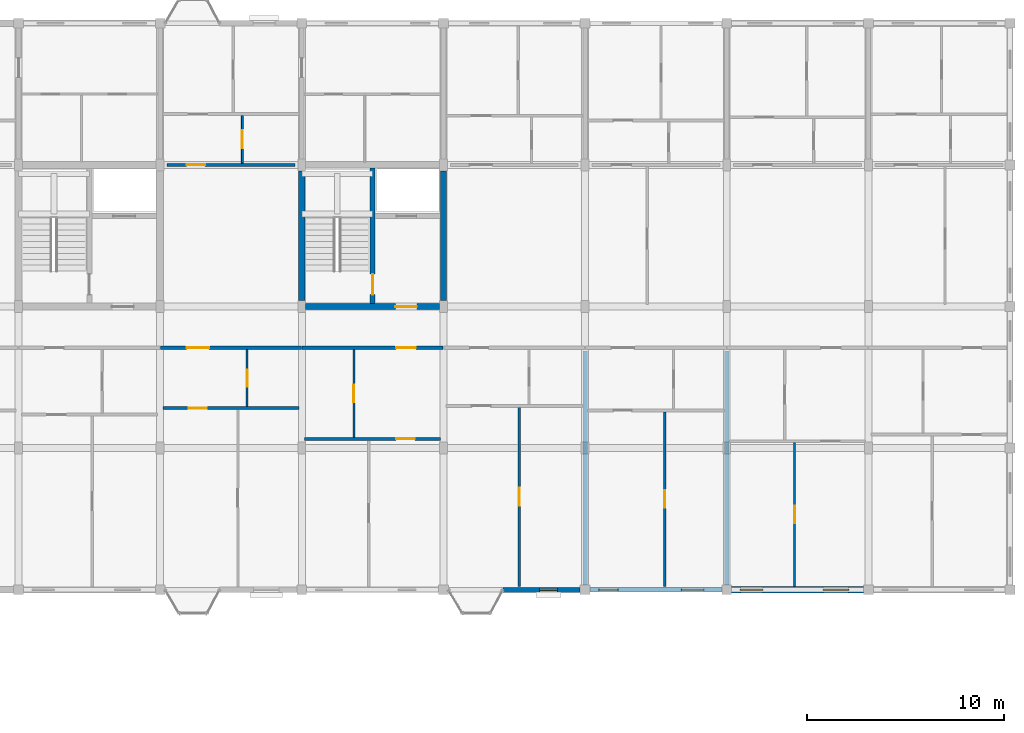
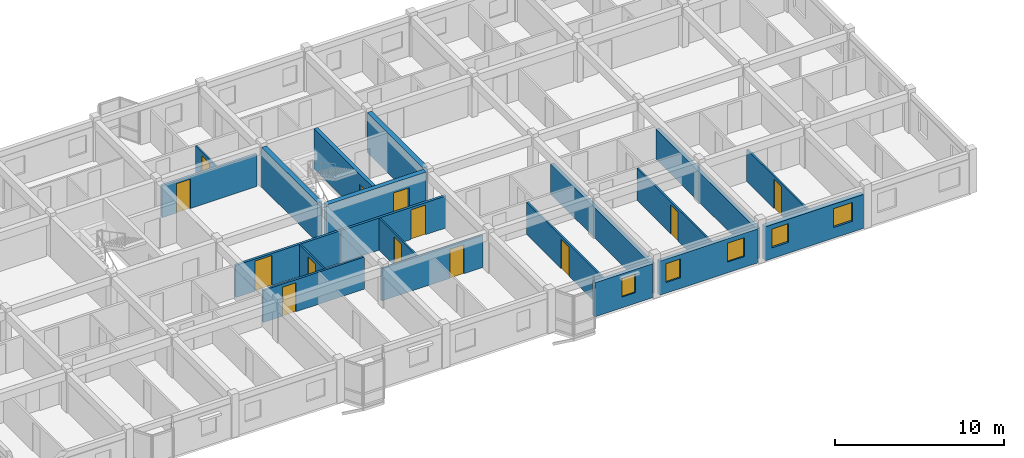
# One storey, part 61 of 70: 20 walls, 13 doors, 5 windows, 18 openings.
"""IFC4 building model written with IfcOpenShell, lengths in metres."""

from ifc_helpers import new_model, si_unit, direction, frame, frame_2d, origin, place, context, subcontext, project, spatial, rectangle, extrude, material, layer, layer_set, type_object, element, fill, save


model = new_model("IFC4")

# Units and contexts
model_context = context("Model", 3, precision=1e-05, world=origin(), true_north=direction((0.0, 1.0)))
body_context = subcontext(model_context, "Body", "Model", "MODEL_VIEW")
ifc_project = project(units=[si_unit("LENGTHUNIT", "METRE"), si_unit("AREAUNIT", "SQUARE_METRE"), si_unit("VOLUMEUNIT", "CUBIC_METRE"), si_unit("PLANEANGLEUNIT", "RADIAN"), si_unit("MASSUNIT", "GRAM", prefix="KILO"), si_unit("THERMODYNAMICTEMPERATUREUNIT", "KELVIN"), si_unit("POWERUNIT", "WATT")], contexts=[model_context])

# Site, building, storey
site_placement = place(None, origin())
site = spatial("IfcSite", under=ifc_project, at=site_placement, CompositionType="ELEMENT")
building_placement = place(site_placement, origin())
building = spatial("IfcBuilding", under=site, at=building_placement, Name="Tavuni Mirador Residences", CompositionType="ELEMENT")
storey_placement = place(building_placement, frame((0.0, 0.0, 23.39990234375)))
storey = spatial("IfcBuildingStorey", under=building, at=storey_placement, Name="L07", CompositionType="ELEMENT", Elevation=23.39990234375)

# Wall, opening, door
ifc_material_1 = material(Name="Precast concrete C40/50", Category="concrete")
ifc_layer_1 = layer(ifc_material_1, 0.25, Name="Precast concrete C40/50", Category="concrete")
ifc_layer_set_1 = layer_set([ifc_layer_1], Name="Precast concrete C40/50")
wall_type_1 = type_object("IfcWallType", Name="WT-COR250", PredefinedType="SHEAR", material=ifc_layer_set_1)
wall_1_placement = place(storey_placement, frame((43.199951171875, 158.56005859375, 0.0), z_axis=(0.0, 0.0, 1.0), x_axis=(0.0, 1.0, 0.0)))
wall_1 = element("IfcWall", 1, at=wall_1_placement, inside=storey, type_object=wall_type_1, Name="CWALL-C6-L07-MID", PredefinedType="SHEAR", context=body_context, shape_type="SweptSolid", body=[
    extrude(rectangle(XDim=6.8798828125, YDim=0.25, at=frame_2d((3.43994140625, 0.0))), origin(), (0.0, 0.0, 1.0), 2.885009765625),
])
opening_1_placement = place(wall_1_placement, frame((0.43994140625, 0.0, 0.0)))
opening_1 = element("IfcOpeningElement", 2, at=opening_1_placement, cuts=wall_1, Name="Opening D-01", PredefinedType="OPENING", context=body_context, shape_type="SweptSolid", body=[
    extrude(rectangle(XDim=1.050048828125, YDim=2.14990234375, at=frame_2d((0.52490234375, 1.074951171875))), frame((0.0, 0.135009765625, 0.0), z_axis=(0.0, -1.0, 0.0), x_axis=(1.0, 0.0, 0.0)), (0.0, 0.0, 1.0), 0.27001953125),
])
ifc_material_2 = material(Name="Solid core iroko timber", Category="wood")
door_type_1 = type_object("IfcDoorType", Name="DT-ST1050", OperationType="NOTDEFINED", PredefinedType="DOOR", material=ifc_material_2)
door_1_placement = place(opening_1_placement, origin())
door_1 = element("IfcDoor", 3, at=door_1_placement, inside=storey, type_object=door_type_1, Name="DR-2241", OperationType="SINGLE_SWING_LEFT", OverallHeight=2.14990234375, OverallWidth=1.050048828125, PredefinedType="DOOR", context=body_context, shape_type="SweptSolid", body=[
    extrude(rectangle(XDim=1.050048828125, YDim=2.14990234375, at=frame_2d((0.52490234375, 1.074951171875))), frame((0.0, 0.02490234375, 0.0), z_axis=(0.0, -1.0, 0.0), x_axis=(1.0, 0.0, 0.0)), (0.0, 0.0, 1.0), 0.050048828125),
])
fill(opening_1, door_1)

# Walls
ifc_layer_2 = layer(ifc_material_1, 0.320068359375, Name="Precast concrete C40/50", Category="concrete")
ifc_layer_set_2 = layer_set([ifc_layer_2], Name="Precast concrete C40/50")
wall_type_2 = type_object("IfcWallType", Name="WT-COR320", PredefinedType="SHEAR", material=ifc_layer_set_2)
for number, where, z_axis, x_axis, name in (
    (4, (39.60009765625, 158.699951171875, 0.0), (0.0, 0.0, 1.0), (0.0, 1.0, 0.0), "CWALL-C6-L07-W"),
    (5, (46.800048828125, 158.699951171875, 0.0), (0.0, 0.0, 1.0), (0.0, 1.0, 0.0), "CWALL-C6-L07-E"),
):
    element("IfcWall", number, at=place(storey_placement, frame(where, z_axis=z_axis, x_axis=x_axis)), inside=storey, type_object=wall_type_2, Name=name, PredefinedType="SHEAR", context=body_context, shape_type="SweptSolid", body=[
        extrude(rectangle(XDim=6.60009765625, YDim=0.320068359375, at=frame_2d((3.300048828125, 0.0))), origin(), (0.0, 0.0, 1.0), 2.885009765625),
    ])

# Wall, opening, door
wall_2_placement = place(storey_placement, frame((39.800048828125, 158.39990234375, 0.0), z_axis=(0.0, 0.0, 1.0), x_axis=(1.0, 0.0, 0.0)))
wall_2 = element("IfcWall", 6, at=wall_2_placement, inside=storey, type_object=wall_type_2, Name="CWALL-C6-L07-SS", PredefinedType="SHEAR", context=body_context, shape_type="SweptSolid", body=[
    extrude(rectangle(XDim=6.800048828125, YDim=0.320068359375, at=frame_2d((3.39990234375, 0.0))), origin(), (0.0, 0.0, 1.0), 2.885009765625),
])
opening_2_placement = place(wall_2_placement, frame((4.550048828125, 0.0, 0.0)))
opening_2 = element("IfcOpeningElement", 7, at=opening_2_placement, cuts=wall_2, Name="Opening D-02", PredefinedType="OPENING", context=body_context, shape_type="SweptSolid", body=[
    extrude(rectangle(XDim=1.10009765625, YDim=2.14990234375, at=frame_2d((0.550048828125, 1.074951171875))), frame((0.0, 0.169921875, 0.0), z_axis=(0.0, -1.0, 0.0), x_axis=(1.0, 0.0, 0.0)), (0.0, 0.0, 1.0), 0.340087890625),
])
door_type_2 = type_object("IfcDoorType", Name="DT-LOB1100", OperationType="NOTDEFINED", PredefinedType="DOOR", material=ifc_material_2)
door_2_placement = place(opening_2_placement, frame((1.10009765625, 0.0, 0.0), z_axis=(0.0, 0.0, 1.0), x_axis=(-1.0, 0.0, 0.0)))
door_2 = element("IfcDoor", 8, at=door_2_placement, inside=storey, type_object=door_type_2, Name="DR-2240", OperationType="SINGLE_SWING_RIGHT", OverallHeight=2.14990234375, OverallWidth=1.10009765625, PredefinedType="DOOR", context=body_context, shape_type="SweptSolid", body=[
    extrude(rectangle(XDim=1.10009765625, YDim=2.14990234375, at=frame_2d((0.550048828125, 1.074951171875))), frame((0.0, 0.02490234375, 0.0), z_axis=(0.0, -1.0, 0.0), x_axis=(1.0, 0.0, 0.0)), (0.0, 0.0, 1.0), 0.050048828125),
])
fill(opening_2, door_2)

ifc_layer_3 = layer(ifc_material_1, 0.1650390625, Name="Precast concrete C40/50", Category="concrete")
ifc_layer_set_3 = layer_set([ifc_layer_3], Name="Precast concrete C40/50")
wall_type_3 = type_object("IfcWallType", Name="WT-CORR165", PredefinedType="PARTITIONING", material=ifc_layer_set_3)
wall_3_placement = place(storey_placement, frame((32.419921875, 156.300048828125, 0.0), z_axis=(0.0, 0.0, 1.0), x_axis=(1.0, 0.0, 0.0)))
wall_3 = element("IfcWall", 9, at=wall_3_placement, inside=storey, type_object=wall_type_3, Name="CORW-BLK-C-L07-0-03", PredefinedType="PARTITIONING", context=body_context, shape_type="SweptSolid", body=[
    extrude(rectangle(XDim=7.16015625, YDim=0.1650390625, at=frame_2d((3.580078125, 0.0))), origin(), (0.0, 0.0, 1.0), 2.320068359375),
])
opening_3_placement = place(wall_3_placement, frame((1.330078125, 0.0, 0.0)))
opening_3 = element("IfcOpeningElement", 10, at=opening_3_placement, cuts=wall_3, Name="Opening D-20", PredefinedType="OPENING", context=body_context, shape_type="SweptSolid", body=[
    extrude(rectangle(XDim=1.139892578125, YDim=2.179931640625, at=frame_2d((0.56982421875, 1.08984375))), frame((0.0, 0.092529296875, 0.0), z_axis=(0.0, -1.0, 0.0), x_axis=(1.0, 0.0, 0.0)), (0.0, 0.0, 1.0), 0.18505859375),
])
door_type_3 = type_object("IfcDoorType", Name="DT-FD60-1140", OperationType="NOTDEFINED", PredefinedType="DOOR", material=ifc_material_2)
door_3_placement = place(opening_3_placement, origin())
door_3 = element("IfcDoor", 11, at=door_3_placement, inside=storey, type_object=door_type_3, Name="DR-2726", OperationType="SINGLE_SWING_LEFT", OverallHeight=2.179931640625, OverallWidth=1.139892578125, PredefinedType="DOOR", context=body_context, shape_type="SweptSolid", body=[
    extrude(rectangle(XDim=1.139892578125, YDim=2.179931640625, at=frame_2d((0.56982421875, 1.08984375))), frame((0.0, 0.02490234375, 0.0), z_axis=(0.0, -1.0, 0.0), x_axis=(1.0, 0.0, 0.0)), (0.0, 0.0, 1.0), 0.050048828125),
])
fill(opening_3, door_3)

wall_4_placement = place(storey_placement, frame((39.6201171875, 156.300048828125, 0.0), z_axis=(0.0, 0.0, 1.0), x_axis=(1.0, 0.0, 0.0)))
wall_4 = element("IfcWall", 12, at=wall_4_placement, inside=storey, type_object=wall_type_3, Name="CORW-BLK-C-L07-0-04", PredefinedType="PARTITIONING", context=body_context, shape_type="SweptSolid", body=[
    extrude(rectangle(XDim=7.159912109375, YDim=0.1650390625, at=frame_2d((3.580078125, 0.0))), origin(), (0.0, 0.0, 1.0), 2.320068359375),
])
opening_4_placement = place(wall_4_placement, frame((4.780029296875, 0.0, 0.0)))
opening_4 = element("IfcOpeningElement", 13, at=opening_4_placement, cuts=wall_4, Name="Opening D-03", PredefinedType="OPENING", context=body_context, shape_type="SweptSolid", body=[
    extrude(rectangle(XDim=1.0, YDim=2.14990234375, at=frame_2d((0.5, 1.074951171875))), frame((0.0, 0.092529296875, 0.0), z_axis=(0.0, -1.0, 0.0), x_axis=(1.0, 0.0, 0.0)), (0.0, 0.0, 1.0), 0.18505859375),
])
door_type_4 = type_object("IfcDoorType", Name="DT-FD60-1000", OperationType="NOTDEFINED", PredefinedType="DOOR", material=ifc_material_2)
door_4_placement = place(opening_4_placement, origin())
door_4 = element("IfcDoor", 14, at=door_4_placement, inside=storey, type_object=door_type_4, Name="DR-2727", OperationType="SINGLE_SWING_RIGHT", OverallHeight=2.14990234375, OverallWidth=1.0, PredefinedType="DOOR", context=body_context, shape_type="SweptSolid", body=[
    extrude(rectangle(XDim=1.0, YDim=2.14990234375, at=frame_2d((0.5, 1.074951171875))), frame((0.0, 0.02490234375, 0.0), z_axis=(0.0, -1.0, 0.0), x_axis=(1.0, 0.0, 0.0)), (0.0, 0.0, 1.0), 0.050048828125),
])
fill(opening_4, door_4)

wall_5_placement = place(storey_placement, frame((32.75, 165.60009765625, 0.0), z_axis=(0.0, 0.0, 1.0), x_axis=(1.0, 0.0, 0.0)))
wall_5 = element("IfcWall", 15, at=wall_5_placement, inside=storey, type_object=wall_type_3, Name="CORW-BLK-C-L07-1-03", PredefinedType="PARTITIONING", context=body_context, shape_type="SweptSolid", body=[
    extrude(rectangle(XDim=6.5, YDim=0.1650390625, at=frame_2d((3.25, 0.0))), origin(), (0.0, 0.0, 1.0), 2.320068359375),
])
opening_5_placement = place(wall_5_placement, frame((1.0, 0.0, 0.0)))
opening_5 = element("IfcOpeningElement", 16, at=opening_5_placement, cuts=wall_5, Name="Opening D-19", PredefinedType="OPENING", context=body_context, shape_type="SweptSolid", body=[
    extrude(rectangle(XDim=0.93994140625, YDim=2.1201171875, at=frame_2d((0.469970703125, 1.06005859375))), frame((0.0, 0.092529296875, 0.0), z_axis=(0.0, -1.0, 0.0), x_axis=(1.0, 0.0, 0.0)), (0.0, 0.0, 1.0), 0.18505859375),
])
door_type_5 = type_object("IfcDoorType", Name="DT-FD60-940", OperationType="NOTDEFINED", PredefinedType="DOOR", material=ifc_material_2)
door_5_placement = place(opening_5_placement, origin())
door_5 = element("IfcDoor", 17, at=door_5_placement, inside=storey, type_object=door_type_5, Name="DR-2734", OperationType="SINGLE_SWING_LEFT", OverallHeight=2.1201171875, OverallWidth=0.93994140625, PredefinedType="DOOR", context=body_context, shape_type="SweptSolid", body=[
    extrude(rectangle(XDim=0.93994140625, YDim=2.1201171875, at=frame_2d((0.469970703125, 1.06005859375))), frame((0.0, 0.02490234375, 0.0), z_axis=(0.0, -1.0, 0.0), x_axis=(1.0, 0.0, 0.0)), (0.0, 0.0, 1.0), 0.050048828125),
])
fill(opening_5, door_5)

# Wall, openings, windows
ifc_layer_4 = layer(ifc_material_1, 0.330078125, Name="Precast concrete C40/50", Category="concrete")
ifc_layer_set_4 = layer_set([ifc_layer_4], Name="Precast concrete C40/50")
wall_type_4 = type_object("IfcWallType", Name="WT-EXT-COR330", PredefinedType="SOLIDWALL", material=ifc_layer_set_4)
wall_6_placement = place(storey_placement, frame((61.449951171875, 144.0, 0.0), z_axis=(0.0, 0.0, 1.0), x_axis=(1.0, 0.0, 0.0)))
wall_6 = element("IfcWall", 18, at=wall_6_placement, inside=storey, type_object=wall_type_4, Name="EW-BLK-C-L07-S07", PredefinedType="SOLIDWALL", context=body_context, shape_type="SweptSolid", body=[
    extrude(rectangle(XDim=6.699951171875, YDim=0.330078125, at=frame_2d((3.35009765625, 0.0))), origin(), (0.0, 0.0, 1.0), 2.455078125),
])
opening_6_placement = place(wall_6_placement, frame((0.449951171875, 0.0, 0.780029296875)))
opening_6 = element("IfcOpeningElement", 19, at=opening_6_placement, cuts=wall_6, Name="Opening WN-20", PredefinedType="OPENING", context=body_context, shape_type="SweptSolid", body=[
    extrude(rectangle(XDim=1.139892578125, YDim=1.360107421875, at=frame_2d((0.56982421875, 0.68017578125))), frame((0.0, 0.175048828125, 0.0), z_axis=(0.0, -1.0, 0.0), x_axis=(1.0, 0.0, 0.0)), (0.0, 0.0, 1.0), 0.35009765625),
])
opening_7_placement = place(wall_6_placement, frame((4.64990234375, 0.0, 0.780029296875)))
opening_7 = element("IfcOpeningElement", 20, at=opening_7_placement, cuts=wall_6, Name="Opening WN-22", PredefinedType="OPENING", context=body_context, shape_type="SweptSolid", body=[
    extrude(rectangle(XDim=1.300048828125, YDim=1.360107421875, at=frame_2d((0.64990234375, 0.68017578125))), frame((0.0, 0.175048828125, 0.0), z_axis=(0.0, -1.0, 0.0), x_axis=(1.0, 0.0, 0.0)), (0.0, 0.0, 1.0), 0.35009765625),
])
ifc_material_3 = material(Name="Laminated solar-control glass", Category="glass")
window_type_1 = type_object("IfcWindowType", Name="WNT-20", PartitioningType="SINGLE_PANEL", PredefinedType="WINDOW", material=ifc_material_3)
window_1_placement = place(opening_6_placement, origin())
window_1 = element("IfcWindow", 21, at=window_1_placement, inside=storey, type_object=window_type_1, Name="WIN-1152", OverallHeight=1.360107421875, OverallWidth=1.139892578125, PartitioningType="SINGLE_PANEL", PredefinedType="WINDOW", context=body_context, shape_type="SweptSolid", body=[
    extrude(rectangle(XDim=1.139892578125, YDim=1.360107421875, at=frame_2d((0.56982421875, 0.68017578125))), frame((0.0, 0.030029296875, 0.0), z_axis=(0.0, -1.0, 0.0), x_axis=(1.0, 0.0, 0.0)), (0.0, 0.0, 1.0), 0.06005859375),
])
fill(opening_6, window_1)
window_type_2 = type_object("IfcWindowType", Name="WNT-22", PartitioningType="SINGLE_PANEL", PredefinedType="WINDOW", material=ifc_material_3)
window_2_placement = place(opening_7_placement, origin())
window_2 = element("IfcWindow", 22, at=window_2_placement, inside=storey, type_object=window_type_2, Name="WIN-1153", OverallHeight=1.360107421875, OverallWidth=1.300048828125, PartitioningType="SINGLE_PANEL", PredefinedType="WINDOW", context=body_context, shape_type="SweptSolid", body=[
    extrude(rectangle(XDim=1.300048828125, YDim=1.360107421875, at=frame_2d((0.64990234375, 0.68017578125))), frame((0.0, 0.030029296875, 0.0), z_axis=(0.0, -1.0, 0.0), x_axis=(1.0, 0.0, 0.0)), (0.0, 0.0, 1.0), 0.06005859375),
])
fill(opening_7, window_2)

ifc_material_4 = material(Name="Sgraffito lime-rendered precast concrete C40/50", Category="concrete")
ifc_layer_5 = layer(ifc_material_4, 0.2451171875, Name="Sgraffito lime-rendered precast concrete C40/50", Category="concrete")
ifc_layer_set_5 = layer_set([ifc_layer_5], Name="Sgraffito lime-rendered precast concrete C40/50")
wall_type_5 = type_object("IfcWallType", Name="WT-EXT-PC245", PredefinedType="SOLIDWALL", material=ifc_layer_set_5)
wall_7_placement = place(storey_placement, frame((54.25, 144.0, 0.0), z_axis=(0.0, 0.0, 1.0), x_axis=(1.0, 0.0, 0.0)))
wall_7 = element("IfcWall", 23, at=wall_7_placement, inside=storey, type_object=wall_type_5, Name="EW-BLK-C-L07-S06", PredefinedType="SOLIDWALL", context=body_context, shape_type="SweptSolid", body=[
    extrude(rectangle(XDim=6.699951171875, YDim=0.2451171875, at=frame_2d((3.35009765625, 0.0))), origin(), (0.0, 0.0, 1.0), 2.455078125),
])
opening_8_placement = place(wall_7_placement, frame((0.449951171875, 0.0, 0.780029296875)))
opening_8 = element("IfcOpeningElement", 24, at=opening_8_placement, cuts=wall_7, Name="Opening WN-18", PredefinedType="OPENING", context=body_context, shape_type="SweptSolid", body=[
    extrude(rectangle(XDim=0.97998046875, YDim=1.360107421875, at=frame_2d((0.489990234375, 0.68017578125))), frame((0.0, 0.132568359375, 0.0), z_axis=(0.0, -1.0, 0.0), x_axis=(1.0, 0.0, 0.0)), (0.0, 0.0, 1.0), 0.26513671875),
])
opening_9_placement = place(wall_7_placement, frame((4.64990234375, 0.0, 0.780029296875)))
opening_9 = element("IfcOpeningElement", 25, at=opening_9_placement, cuts=wall_7, Name="Opening WN-20", PredefinedType="OPENING", context=body_context, shape_type="SweptSolid", body=[
    extrude(rectangle(XDim=1.139892578125, YDim=1.360107421875, at=frame_2d((0.56982421875, 0.68017578125))), frame((0.0, 0.132568359375, 0.0), z_axis=(0.0, -1.0, 0.0), x_axis=(1.0, 0.0, 0.0)), (0.0, 0.0, 1.0), 0.26513671875),
])
window_type_3 = type_object("IfcWindowType", Name="WNT-18", PartitioningType="SINGLE_PANEL", PredefinedType="WINDOW", material=ifc_material_3)
window_3_placement = place(opening_8_placement, origin())
window_3 = element("IfcWindow", 26, at=window_3_placement, inside=storey, type_object=window_type_3, Name="WIN-1150", OverallHeight=1.360107421875, OverallWidth=0.97998046875, PartitioningType="SINGLE_PANEL", PredefinedType="WINDOW", context=body_context, shape_type="SweptSolid", body=[
    extrude(rectangle(XDim=0.97998046875, YDim=1.360107421875, at=frame_2d((0.489990234375, 0.68017578125))), frame((0.0, 0.030029296875, 0.0), z_axis=(0.0, -1.0, 0.0), x_axis=(1.0, 0.0, 0.0)), (0.0, 0.0, 1.0), 0.06005859375),
])
fill(opening_8, window_3)
window_4_placement = place(opening_9_placement, origin())
window_4 = element("IfcWindow", 27, at=window_4_placement, inside=storey, type_object=window_type_1, Name="WIN-1151", OverallHeight=1.360107421875, OverallWidth=1.139892578125, PartitioningType="SINGLE_PANEL", PredefinedType="WINDOW", context=body_context, shape_type="SweptSolid", body=[
    extrude(rectangle(XDim=1.139892578125, YDim=1.360107421875, at=frame_2d((0.56982421875, 0.68017578125))), frame((0.0, 0.030029296875, 0.0), z_axis=(0.0, -1.0, 0.0), x_axis=(1.0, 0.0, 0.0)), (0.0, 0.0, 1.0), 0.06005859375),
])
fill(opening_9, window_4)

# Wall, opening, window
ifc_layer_6 = layer(ifc_material_4, 0.2548828125, Name="Sgraffito lime-rendered precast concrete C40/50", Category="concrete")
ifc_layer_set_6 = layer_set([ifc_layer_6], Name="Sgraffito lime-rendered precast concrete C40/50")
wall_type_6 = type_object("IfcWallType", Name="WT-EXT-PC255", PredefinedType="SOLIDWALL", material=ifc_layer_set_6)
wall_8_placement = place(storey_placement, frame((49.820068359375, 144.0, 0.0), z_axis=(0.0, 0.0, 1.0), x_axis=(1.0, 0.0, 0.0)))
wall_8 = element("IfcWall", 28, at=wall_8_placement, inside=storey, type_object=wall_type_6, Name="EW-BLK-C-L07-S05", PredefinedType="SOLIDWALL", context=body_context, shape_type="SweptSolid", body=[
    extrude(rectangle(XDim=3.929931640625, YDim=0.2548828125, at=frame_2d((1.96484375, 0.0))), origin(), (0.0, 0.0, 1.0), 2.455078125),
])
opening_10_placement = place(wall_8_placement, frame((1.875, 0.0, 0.780029296875)))
opening_10 = element("IfcOpeningElement", 29, at=opening_10_placement, cuts=wall_8, Name="Opening WN-17", PredefinedType="OPENING", context=body_context, shape_type="SweptSolid", body=[
    extrude(rectangle(XDim=0.89990234375, YDim=1.360107421875, at=frame_2d((0.449951171875, 0.68017578125))), frame((0.0, 0.137451171875, 0.0), z_axis=(0.0, -1.0, 0.0), x_axis=(1.0, 0.0, 0.0)), (0.0, 0.0, 1.0), 0.27490234375),
])
window_type_4 = type_object("IfcWindowType", Name="WNT-17", PartitioningType="SINGLE_PANEL", PredefinedType="WINDOW", material=ifc_material_3)
window_5_placement = place(opening_10_placement, origin())
window_5 = element("IfcWindow", 30, at=window_5_placement, inside=storey, type_object=window_type_4, Name="WIN-1149", OverallHeight=1.360107421875, OverallWidth=0.89990234375, PartitioningType="SINGLE_PANEL", PredefinedType="WINDOW", context=body_context, shape_type="SweptSolid", body=[
    extrude(rectangle(XDim=0.89990234375, YDim=1.360107421875, at=frame_2d((0.449951171875, 0.68017578125))), frame((0.0, 0.030029296875, 0.0), z_axis=(0.0, -1.0, 0.0), x_axis=(1.0, 0.0, 0.0)), (0.0, 0.0, 1.0), 0.06005859375),
])
fill(opening_10, window_5)

# Wall, opening, door
ifc_material_5 = material(Name="Acoustic gypsum and concrete block partition", Category="concrete")
ifc_layer_7 = layer(ifc_material_5, 0.094970703125, Name="Acoustic gypsum and concrete block partition", Category="concrete")
ifc_layer_set_7 = layer_set([ifc_layer_7], Name="Acoustic gypsum and concrete block partition")
wall_type_7 = type_object("IfcWallType", Name="WT-PART095", PredefinedType="PARTITIONING", material=ifc_layer_set_7)
wall_9_placement = place(storey_placement, frame((36.580078125, 165.68994140625, 0.0), z_axis=(0.0, 0.0, 1.0), x_axis=(0.0, 1.0, 0.0)))
wall_9 = element("IfcWall", 31, at=wall_9_placement, inside=storey, type_object=wall_type_7, Name="PW-BLK-C-L07-N03-IN1", PredefinedType="PARTITIONING", context=body_context, shape_type="SweptSolid", body=[
    extrude(rectangle(XDim=2.420166015625, YDim=0.094970703125, at=frame_2d((1.2099609375, 0.0))), origin(), (0.0, 0.0, 1.0), 2.320068359375),
])
opening_11_placement = place(wall_9_placement, frame((0.760009765625, 0.0, 0.0)))
opening_11 = element("IfcOpeningElement", 32, at=opening_11_placement, cuts=wall_9, Name="Opening D-09", PredefinedType="OPENING", context=body_context, shape_type="SweptSolid", body=[
    extrude(rectangle(XDim=0.89990234375, YDim=2.050048828125, at=frame_2d((0.449951171875, 1.02490234375))), frame((0.0, 0.0576171875, 0.0), z_axis=(0.0, -1.0, 0.0), x_axis=(1.0, 0.0, 0.0)), (0.0, 0.0, 1.0), 0.114990234375),
])
door_type_6 = type_object("IfcDoorType", Name="DT-WC900", OperationType="NOTDEFINED", PredefinedType="DOOR", material=ifc_material_2)
door_6_placement = place(opening_11_placement, origin())
door_6 = element("IfcDoor", 33, at=door_6_placement, inside=storey, type_object=door_type_6, Name="DR-4039", OperationType="SINGLE_SWING_LEFT", OverallHeight=2.050048828125, OverallWidth=0.89990234375, PredefinedType="DOOR", context=body_context, shape_type="SweptSolid", body=[
    extrude(rectangle(XDim=0.89990234375, YDim=2.050048828125, at=frame_2d((0.449951171875, 1.02490234375))), frame((0.0, 0.02490234375, 0.0), z_axis=(0.0, -1.0, 0.0), x_axis=(1.0, 0.0, 0.0)), (0.0, 0.0, 1.0), 0.050048828125),
])
fill(opening_11, door_6)

ifc_layer_8 = layer(ifc_material_5, 0.10498046875, Name="Acoustic gypsum and concrete block partition", Category="concrete")
ifc_layer_set_8 = layer_set([ifc_layer_8], Name="Acoustic gypsum and concrete block partition")
wall_type_8 = type_object("IfcWallType", Name="WT-PART105", PredefinedType="PARTITIONING", material=ifc_layer_set_8)
wall_10_placement = place(storey_placement, frame((36.820068359375, 153.31005859375, 0.0), z_axis=(0.0, 0.0, 1.0), x_axis=(0.0, 1.0, 0.0)))
wall_10 = element("IfcWall", 34, at=wall_10_placement, inside=storey, type_object=wall_type_8, Name="PW-BLK-C-L07-S03-IN1", PredefinedType="PARTITIONING", context=body_context, shape_type="SweptSolid", body=[
    extrude(rectangle(XDim=2.89990234375, YDim=0.10498046875, at=frame_2d((1.449951171875, 0.0))), origin(), (0.0, 0.0, 1.0), 2.320068359375),
])
opening_12_placement = place(wall_10_placement, frame((1.014892578125, 0.0, 0.0)))
opening_12 = element("IfcOpeningElement", 35, at=opening_12_placement, cuts=wall_10, Name="Opening D-10", PredefinedType="OPENING", context=body_context, shape_type="SweptSolid", body=[
    extrude(rectangle(XDim=0.8701171875, YDim=2.050048828125, at=frame_2d((0.43505859375, 1.02490234375))), frame((0.0, 0.0625, 0.0), z_axis=(0.0, -1.0, 0.0), x_axis=(1.0, 0.0, 0.0)), (0.0, 0.0, 1.0), 0.125),
])
door_type_7 = type_object("IfcDoorType", Name="DT-WC870", OperationType="NOTDEFINED", PredefinedType="DOOR", material=ifc_material_2)
door_7_placement = place(opening_12_placement, origin())
door_7 = element("IfcDoor", 36, at=door_7_placement, inside=storey, type_object=door_type_7, Name="DR-4036", OperationType="SINGLE_SWING_RIGHT", OverallHeight=2.050048828125, OverallWidth=0.8701171875, PredefinedType="DOOR", context=body_context, shape_type="SweptSolid", body=[
    extrude(rectangle(XDim=0.8701171875, YDim=2.050048828125, at=frame_2d((0.43505859375, 1.02490234375))), frame((0.0, 0.02490234375, 0.0), z_axis=(0.0, -1.0, 0.0), x_axis=(1.0, 0.0, 0.0)), (0.0, 0.0, 1.0), 0.050048828125),
])
fill(opening_12, door_7)

wall_11_placement = place(storey_placement, frame((42.25, 151.739990234375, 0.0), z_axis=(0.0, 0.0, 1.0), x_axis=(0.0, 1.0, 0.0)))
wall_11 = element("IfcWall", 37, at=wall_11_placement, inside=storey, type_object=wall_type_8, Name="PW-BLK-C-L07-S04-IN1", PredefinedType="PARTITIONING", context=body_context, shape_type="SweptSolid", body=[
    extrude(rectangle(XDim=4.469970703125, YDim=0.10498046875, at=frame_2d((2.23486328125, 0.0))), origin(), (0.0, 0.0, 1.0), 2.320068359375),
])
opening_13_placement = place(wall_11_placement, frame((1.784912109375, 0.0, 0.0)))
opening_13 = element("IfcOpeningElement", 38, at=opening_13_placement, cuts=wall_11, Name="Opening D-09", PredefinedType="OPENING", context=body_context, shape_type="SweptSolid", body=[
    extrude(rectangle(XDim=0.89990234375, YDim=2.050048828125, at=frame_2d((0.449951171875, 1.02490234375))), frame((0.0, 0.0625, 0.0), z_axis=(0.0, -1.0, 0.0), x_axis=(1.0, 0.0, 0.0)), (0.0, 0.0, 1.0), 0.125),
])
door_8_placement = place(opening_13_placement, origin())
door_8 = element("IfcDoor", 39, at=door_8_placement, inside=storey, type_object=door_type_6, Name="DR-4042", OperationType="SINGLE_SWING_LEFT", OverallHeight=2.050048828125, OverallWidth=0.89990234375, PredefinedType="DOOR", context=body_context, shape_type="SweptSolid", body=[
    extrude(rectangle(XDim=0.89990234375, YDim=2.050048828125, at=frame_2d((0.449951171875, 1.02490234375))), frame((0.0, 0.02490234375, 0.0), z_axis=(0.0, -1.0, 0.0), x_axis=(1.0, 0.0, 0.0)), (0.0, 0.0, 1.0), 0.050048828125),
])
fill(opening_13, door_8)

ifc_layer_9 = layer(ifc_material_5, 0.114990234375, Name="Acoustic gypsum and concrete block partition", Category="concrete")
ifc_layer_set_9 = layer_set([ifc_layer_9], Name="Acoustic gypsum and concrete block partition")
wall_type_9 = type_object("IfcWallType", Name="WT-PART115", PredefinedType="PARTITIONING", material=ifc_layer_set_9)
wall_12_placement = place(storey_placement, frame((58.050048828125, 144.175048828125, 0.0), z_axis=(0.0, 0.0, 1.0), x_axis=(0.0, 1.0, 0.0)))
wall_12 = element("IfcWall", 40, at=wall_12_placement, inside=storey, type_object=wall_type_9, Name="PW-BLK-C-L07-S06-OUT", PredefinedType="PARTITIONING", context=body_context, shape_type="SweptSolid", body=[
    extrude(rectangle(XDim=8.875, YDim=0.114990234375, at=frame_2d((4.4375, 0.0))), origin(), (0.0, 0.0, 1.0), 2.320068359375),
])
opening_14_placement = place(wall_12_placement, frame((3.99755859375, 0.0, 0.0)))
opening_14 = element("IfcOpeningElement", 41, at=opening_14_placement, cuts=wall_12, Name="Opening D-08", PredefinedType="OPENING", context=body_context, shape_type="SweptSolid", body=[
    extrude(rectangle(XDim=0.8798828125, YDim=2.080078125, at=frame_2d((0.43994140625, 1.0400390625))), frame((0.0, 0.0673828125, 0.0), z_axis=(0.0, -1.0, 0.0), x_axis=(1.0, 0.0, 0.0)), (0.0, 0.0, 1.0), 0.135009765625),
])
door_type_8 = type_object("IfcDoorType", Name="DT-BED880", OperationType="NOTDEFINED", PredefinedType="DOOR", material=ifc_material_2)
door_9_placement = place(opening_14_placement, origin())
door_9 = element("IfcDoor", 42, at=door_9_placement, inside=storey, type_object=door_type_8, Name="DR-4053", OperationType="SINGLE_SWING_LEFT", OverallHeight=2.080078125, OverallWidth=0.8798828125, PredefinedType="DOOR", context=body_context, shape_type="SweptSolid", body=[
    extrude(rectangle(XDim=0.8798828125, YDim=2.080078125, at=frame_2d((0.43994140625, 1.0400390625))), frame((0.0, 0.02490234375, 0.0), z_axis=(0.0, -1.0, 0.0), x_axis=(1.0, 0.0, 0.0)), (0.0, 0.0, 1.0), 0.050048828125),
])
fill(opening_14, door_9)

wall_13_placement = place(storey_placement, frame((64.64990234375, 144.175048828125, 0.0), z_axis=(0.0, 0.0, 1.0), x_axis=(0.0, 1.0, 0.0)))
wall_13 = element("IfcWall", 43, at=wall_13_placement, inside=storey, type_object=wall_type_9, Name="PW-BLK-C-L07-S07-OUT", PredefinedType="PARTITIONING", context=body_context, shape_type="SweptSolid", body=[
    extrude(rectangle(XDim=7.304931640625, YDim=0.114990234375, at=frame_2d((3.65234375, 0.0))), origin(), (0.0, 0.0, 1.0), 2.320068359375),
])
opening_15_placement = place(wall_13_placement, frame((3.202392578125, 0.0, 0.0)))
opening_15 = element("IfcOpeningElement", 44, at=opening_15_placement, cuts=wall_13, Name="Opening D-07", PredefinedType="OPENING", context=body_context, shape_type="SweptSolid", body=[
    extrude(rectangle(XDim=0.89990234375, YDim=2.10009765625, at=frame_2d((0.449951171875, 1.050048828125))), frame((0.0, 0.0673828125, 0.0), z_axis=(0.0, -1.0, 0.0), x_axis=(1.0, 0.0, 0.0)), (0.0, 0.0, 1.0), 0.135009765625),
])
door_type_9 = type_object("IfcDoorType", Name="DT-BED900", OperationType="NOTDEFINED", PredefinedType="DOOR", material=ifc_material_2)
door_10_placement = place(opening_15_placement, origin())
door_10 = element("IfcDoor", 45, at=door_10_placement, inside=storey, type_object=door_type_9, Name="DR-4059", OperationType="SINGLE_SWING_RIGHT", OverallHeight=2.10009765625, OverallWidth=0.89990234375, PredefinedType="DOOR", context=body_context, shape_type="SweptSolid", body=[
    extrude(rectangle(XDim=0.89990234375, YDim=2.10009765625, at=frame_2d((0.449951171875, 1.050048828125))), frame((0.0, 0.02490234375, 0.0), z_axis=(0.0, -1.0, 0.0), x_axis=(1.0, 0.0, 0.0)), (0.0, 0.0, 1.0), 0.050048828125),
])
fill(opening_15, door_10)

ifc_layer_10 = layer(ifc_material_5, 0.125, Name="Acoustic gypsum and concrete block partition", Category="concrete")
ifc_layer_set_10 = layer_set([ifc_layer_10], Name="Acoustic gypsum and concrete block partition")
wall_type_10 = type_object("IfcWallType", Name="WT-PART125", PredefinedType="PARTITIONING", material=ifc_layer_set_10)
wall_14_placement = place(storey_placement, frame((50.64990234375, 144.175048828125, 0.0), z_axis=(0.0, 0.0, 1.0), x_axis=(0.0, 1.0, 0.0)))
wall_14 = element("IfcWall", 46, at=wall_14_placement, inside=storey, type_object=wall_type_10, Name="PW-BLK-C-L07-S05-OUT", PredefinedType="PARTITIONING", context=body_context, shape_type="SweptSolid", body=[
    extrude(rectangle(XDim=9.10498046875, YDim=0.125, at=frame_2d((4.552490234375, 0.0))), origin(), (0.0, 0.0, 1.0), 2.320068359375),
])
opening_16_placement = place(wall_14_placement, frame((4.1025390625, 0.0, 0.0)))
opening_16 = element("IfcOpeningElement", 47, at=opening_16_placement, cuts=wall_14, Name="Opening D-07", PredefinedType="OPENING", context=body_context, shape_type="SweptSolid", body=[
    extrude(rectangle(XDim=0.89990234375, YDim=2.10009765625, at=frame_2d((0.449951171875, 1.050048828125))), frame((0.0, 0.072509765625, 0.0), z_axis=(0.0, -1.0, 0.0), x_axis=(1.0, 0.0, 0.0)), (0.0, 0.0, 1.0), 0.14501953125),
])
door_11_placement = place(opening_16_placement, origin())
door_11 = element("IfcDoor", 48, at=door_11_placement, inside=storey, type_object=door_type_9, Name="DR-4046", OperationType="SINGLE_SWING_RIGHT", OverallHeight=2.10009765625, OverallWidth=0.89990234375, PredefinedType="DOOR", context=body_context, shape_type="SweptSolid", body=[
    extrude(rectangle(XDim=0.89990234375, YDim=2.10009765625, at=frame_2d((0.449951171875, 1.050048828125))), frame((0.0, 0.02490234375, 0.0), z_axis=(0.0, -1.0, 0.0), x_axis=(1.0, 0.0, 0.0)), (0.0, 0.0, 1.0), 0.050048828125),
])
fill(opening_16, door_11)

ifc_layer_11 = layer(ifc_material_5, 0.139892578125, Name="Acoustic gypsum and concrete block partition", Category="concrete")
ifc_layer_set_11 = layer_set([ifc_layer_11], Name="Acoustic gypsum and concrete block partition")
wall_type_11 = type_object("IfcWallType", Name="WT-PART140", PredefinedType="PARTITIONING", material=ifc_layer_set_11)
wall_15_placement = place(storey_placement, frame((32.5400390625, 153.239990234375, 0.0), z_axis=(0.0, 0.0, 1.0), x_axis=(1.0, 0.0, 0.0)))
wall_15 = element("IfcWall", 49, at=wall_15_placement, inside=storey, type_object=wall_type_11, Name="PW-BLK-C-L07-S03-MID", PredefinedType="PARTITIONING", context=body_context, shape_type="SweptSolid", body=[
    extrude(rectangle(XDim=6.919921875, YDim=0.139892578125, at=frame_2d((3.4599609375, 0.0))), origin(), (0.0, 0.0, 1.0), 2.320068359375),
])
opening_17_placement = place(wall_15_placement, frame((1.31005859375, 0.0, 0.0)))
opening_17 = element("IfcOpeningElement", 50, at=opening_17_placement, cuts=wall_15, Name="Opening D-06", PredefinedType="OPENING", context=body_context, shape_type="SweptSolid", body=[
    extrude(rectangle(XDim=0.919921875, YDim=2.10009765625, at=frame_2d((0.4599609375, 1.050048828125))), frame((0.0, 0.080078125, 0.0), z_axis=(0.0, -1.0, 0.0), x_axis=(1.0, 0.0, 0.0)), (0.0, 0.0, 1.0), 0.159912109375),
])
door_type_10 = type_object("IfcDoorType", Name="DT-INT920", OperationType="NOTDEFINED", PredefinedType="DOOR", material=ifc_material_2)
door_12_placement = place(opening_17_placement, origin())
door_12 = element("IfcDoor", 51, at=door_12_placement, inside=storey, type_object=door_type_10, Name="DR-4037", OperationType="SINGLE_SWING_RIGHT", OverallHeight=2.10009765625, OverallWidth=0.919921875, PredefinedType="DOOR", context=body_context, shape_type="SweptSolid", body=[
    extrude(rectangle(XDim=0.919921875, YDim=2.10009765625, at=frame_2d((0.4599609375, 1.050048828125))), frame((0.0, 0.02490234375, 0.0), z_axis=(0.0, -1.0, 0.0), x_axis=(1.0, 0.0, 0.0)), (0.0, 0.0, 1.0), 0.050048828125),
])
fill(opening_17, door_12)

wall_16_placement = place(storey_placement, frame((39.739990234375, 151.669921875, 0.0), z_axis=(0.0, 0.0, 1.0), x_axis=(1.0, 0.0, 0.0)))
wall_16 = element("IfcWall", 52, at=wall_16_placement, inside=storey, type_object=wall_type_11, Name="PW-BLK-C-L07-S04-MID", PredefinedType="PARTITIONING", context=body_context, shape_type="SweptSolid", body=[
    extrude(rectangle(XDim=6.919921875, YDim=0.139892578125, at=frame_2d((3.4599609375, 0.0))), origin(), (0.0, 0.0, 1.0), 2.320068359375),
])
opening_18_placement = place(wall_16_placement, frame((4.659912109375, 0.0, 0.0)))
opening_18 = element("IfcOpeningElement", 53, at=opening_18_placement, cuts=wall_16, Name="Opening D-05", PredefinedType="OPENING", context=body_context, shape_type="SweptSolid", body=[
    extrude(rectangle(XDim=0.949951171875, YDim=2.10009765625, at=frame_2d((0.47509765625, 1.050048828125))), frame((0.0, 0.080078125, 0.0), z_axis=(0.0, -1.0, 0.0), x_axis=(1.0, 0.0, 0.0)), (0.0, 0.0, 1.0), 0.159912109375),
])
door_type_11 = type_object("IfcDoorType", Name="DT-INT950", OperationType="NOTDEFINED", PredefinedType="DOOR", material=ifc_material_2)
door_13_placement = place(opening_18_placement, origin())
door_13 = element("IfcDoor", 54, at=door_13_placement, inside=storey, type_object=door_type_11, Name="DR-4043", OperationType="SINGLE_SWING_LEFT", OverallHeight=2.10009765625, OverallWidth=0.949951171875, PredefinedType="DOOR", context=body_context, shape_type="SweptSolid", body=[
    extrude(rectangle(XDim=0.949951171875, YDim=2.10009765625, at=frame_2d((0.47509765625, 1.050048828125))), frame((0.0, 0.02490234375, 0.0), z_axis=(0.0, -1.0, 0.0), x_axis=(1.0, 0.0, 0.0)), (0.0, 0.0, 1.0), 0.050048828125),
])
fill(opening_18, door_13)

# Walls
ifc_layer_12 = layer(ifc_material_1, 0.235107421875, Name="Precast concrete C40/50", Category="concrete")
ifc_layer_set_12 = layer_set([ifc_layer_12], Name="Precast concrete C40/50")
wall_type_12 = type_object("IfcWallType", Name="WT-XW235", PredefinedType="SOLIDWALL", material=ifc_layer_set_12)
for number, where, z_axis, x_axis, name in (
    (55, (54.0, 144.25, 0.0), (0.0, 0.0, 1.0), (0.0, 1.0, 0.0), "XW-BLK-C-L07-S-06"),
    (56, (61.199951171875, 144.25, 0.0), (0.0, 0.0, 1.0), (0.0, 1.0, 0.0), "XW-BLK-C-L07-S-07"),
):
    element("IfcWall", number, at=place(storey_placement, frame(where, z_axis=z_axis, x_axis=x_axis)), inside=storey, type_object=wall_type_12, Name=name, PredefinedType="SOLIDWALL", context=body_context, shape_type="SweptSolid", body=[
        extrude(rectangle(XDim=11.89990234375, YDim=0.235107421875, at=frame_2d((5.949951171875, 0.0))), origin(), (0.0, 0.0, 1.0), 2.18505859375),
    ])

save(model, "model.ifc")
